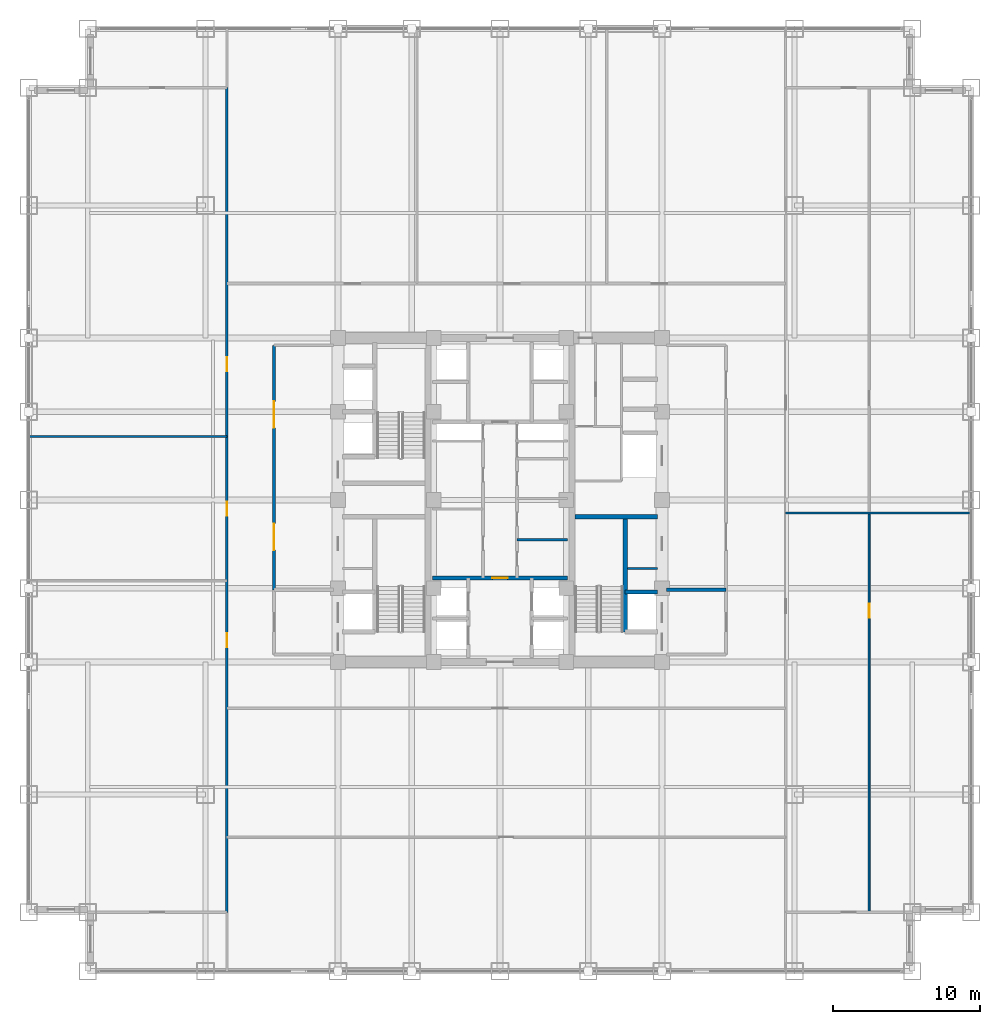
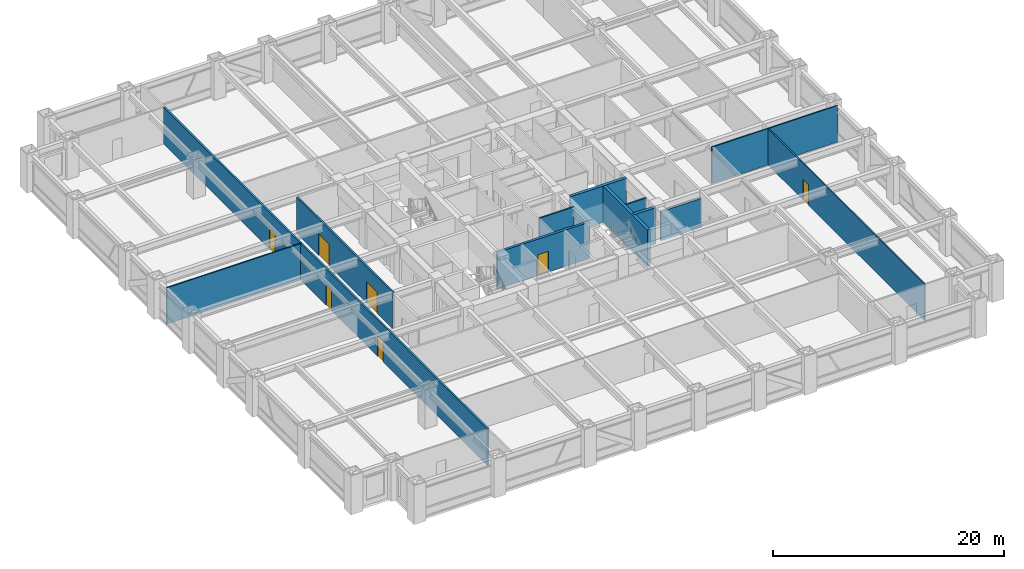
# One storey, part 24 of 28: 12 walls, 7 doors, 7 openings.
"""IFC4 building model written with IfcOpenShell, lengths in metres."""

from ifc_helpers import new_model, si_unit, direction, frame, frame_2d, origin, place, context, subcontext, project, spatial, rectangle, extrude, source, transform, mapped, material, layer, layer_set, type_object, element, fill, save


model = new_model("IFC4")

# Units and contexts
model_context = context("Model", 3, precision=1e-05, world=origin(), true_north=direction((0.0, 1.0)))
body_context = subcontext(model_context, "Body", "Model", "MODEL_VIEW")
ifc_project = project(units=[si_unit("LENGTHUNIT", "METRE"), si_unit("AREAUNIT", "SQUARE_METRE"), si_unit("VOLUMEUNIT", "CUBIC_METRE"), si_unit("PLANEANGLEUNIT", "RADIAN"), si_unit("MASSUNIT", "GRAM", prefix="KILO")], contexts=[model_context])

# Site, building, storey
site_placement = place(None, origin())
site = spatial("IfcSite", under=ifc_project, at=site_placement, CompositionType="ELEMENT")
building_placement = place(site_placement, origin())
building = spatial("IfcBuilding", under=site, at=building_placement, Name="Khorayat Bourse Tower", CompositionType="ELEMENT")
storey_placement = place(building_placement, frame((0.0, 0.0, 116.0)))
storey = spatial("IfcBuildingStorey", under=building, at=storey_placement, Name="L26", CompositionType="ELEMENT", Elevation=116.0)

# Walls
ifc_material_1 = material(Name="Concrete C50/60", Category="concrete")
ifc_layer_1 = layer(ifc_material_1, 0.300048828125)
ifc_layer_set_1 = layer_set([ifc_layer_1], Name="Concrete C50/60")
wall_type_1 = type_object("IfcWallType", Name="WAL-SHAFT-300", PredefinedType="SHEAR", material=ifc_layer_set_1)
shared_shape_1 = source(origin(), body_context, "Body", "SweptSolid", [
    extrude(rectangle(XDim=5.599853515625, YDim=0.300048828125, at=frame_2d((2.7998046875, 0.0))), origin(), (0.0, 0.0, 1.0), 3.840087890625),
])
wall_1_placement = place(storey_placement, frame((5.10009765625, -1.14990234375, 0.0), z_axis=(0.0, 0.0, 1.0), x_axis=(1.0, 0.0, 0.0)))
element("IfcWall", 1, at=wall_1_placement, inside=storey, type_object=wall_type_1, Name="L26 Core Shear Wall ST3-DIV", PredefinedType="SHEAR", context=body_context, shape_type="MappedRepresentation", body=[
    mapped(shared_shape_1, transform((0.0, 0.0, 0.0), scale=1.0)),
])
shared_shape_2 = source(origin(), body_context, "Body", "SweptSolid", [
    extrude(rectangle(XDim=7.800048828125, YDim=0.300048828125, at=frame_2d((3.89990234375, 0.0))), origin(), (0.0, 0.0, 1.0), 3.840087890625),
])
wall_2_placement = place(storey_placement, frame((8.5, -8.949951171875, 0.0), z_axis=(0.0, 0.0, 1.0), x_axis=(0.0, 1.0, 0.0)))
element("IfcWall", 2, at=wall_2_placement, inside=storey, type_object=wall_type_1, Name="L26 Partition WAL-L26-EPIER-SP", PredefinedType="SHEAR", context=body_context, shape_type="MappedRepresentation", body=[
    mapped(shared_shape_2, transform((0.0, 0.0, 0.0), scale=1.0)),
])
shared_shape_3 = source(origin(), body_context, "Body", "SweptSolid", [
    extrude(rectangle(XDim=2.199951171875, YDim=0.300048828125, at=frame_2d((1.10009765625, 0.0))), origin(), (0.0, 0.0, 1.0), 3.840087890625),
])
wall_3_placement = place(storey_placement, frame((8.5, -6.25, 0.0), z_axis=(0.0, 0.0, 1.0), x_axis=(1.0, 0.0, 0.0)))
element("IfcWall", 3, at=wall_3_placement, inside=storey, type_object=wall_type_1, Name="L26 Partition WAL-L26-EPIER-FF2N", PredefinedType="SHEAR", context=body_context, shape_type="MappedRepresentation", body=[
    mapped(shared_shape_3, transform((0.0, 0.0, 0.0), scale=1.0)),
])
ifc_material_2 = material(Name="Gypsum plasterboard twin-frame partition")
ifc_layer_2 = layer(ifc_material_2, 0.14990234375)
ifc_layer_set_2 = layer_set([ifc_layer_2], Name="Gypsum plasterboard twin-frame partition")
wall_type_2 = type_object("IfcWallType", Name="WAL-PART-SUITE-150", PredefinedType="PARTITIONING", material=ifc_layer_set_2)
shared_shape_4 = source(origin(), body_context, "Body", "SweptSolid", [
    extrude(rectangle(XDim=2.050048828125, YDim=0.14990234375, at=frame_2d((1.02490234375, 0.0))), origin(), (0.0, 0.0, 1.0), 3.840087890625),
])
wall_4_placement = place(storey_placement, frame((8.64990234375, -4.64990234375, 0.0), z_axis=(0.0, 0.0, 1.0), x_axis=(1.0, 0.0, 0.0)))
element("IfcWall", 4, at=wall_4_placement, inside=storey, type_object=wall_type_2, Name="L26 Partition WAL-L26-ESRV-S0", PredefinedType="PARTITIONING", context=body_context, shape_type="MappedRepresentation", body=[
    mapped(shared_shape_4, transform((0.0, 0.0, 0.0), scale=1.0)),
])

# Wall, openings, doors
ifc_material_3 = material(Name="Gypsum plasterboard acoustic stud wall")
ifc_layer_3 = layer(ifc_material_3, 0.179931640625)
ifc_layer_set_3 = layer_set([ifc_layer_3], Name="Gypsum plasterboard acoustic stud wall")
wall_type_3 = type_object("IfcWallType", Name="WAL-PART-CORR-180", PredefinedType="PARTITIONING", material=ifc_layer_set_3)
shared_shape_5 = source(origin(), body_context, "Body", "SweptSolid", [
    extrude(rectangle(XDim=16.60009765625, YDim=0.179931640625, at=frame_2d((8.300048828125, 0.0))), origin(), (0.0, 0.0, 1.0), 3.840087890625),
])
wall_5_placement = place(storey_placement, frame((-15.35009765625, -6.10009765625, 0.0), z_axis=(0.0, 0.0, 1.0), x_axis=(0.0, 1.0, 0.0)))
wall_5 = element("IfcWall", 5, at=wall_5_placement, inside=storey, type_object=wall_type_3, Name="L26 Partition WAL-L26-WLOB-W", PredefinedType="PARTITIONING", context=body_context, shape_type="MappedRepresentation", body=[
    mapped(shared_shape_5, transform((0.0, 0.0, 0.0), scale=1.0)),
])
shared_shape_6 = source(origin(), body_context, "Body", "SweptSolid", [
    extrude(rectangle(XDim=1.800048828125, YDim=2.25, at=frame_2d((0.89990234375, 1.125))), frame((0.0, 0.099853515625, 0.0), z_axis=(0.0, -1.0, 0.0), x_axis=(1.0, 0.0, 0.0)), (0.0, 0.0, 1.0), 0.199951171875),
])
opening_1_placement = place(wall_5_placement, frame((2.699951171875, 0.0, 0.0)))
opening_1 = element("IfcOpeningElement", 6, at=opening_1_placement, cuts=wall_5, Name="Opening DI-03", PredefinedType="OPENING", context=body_context, shape_type="MappedRepresentation", body=[
    mapped(shared_shape_6, transform((0.0, 0.0, 0.0), scale=1.0)),
])
opening_2_placement = place(wall_5_placement, frame((11.0, 0.0, 0.0)))
opening_2 = element("IfcOpeningElement", 7, at=opening_2_placement, cuts=wall_5, Name="Opening DI-03", PredefinedType="OPENING", context=body_context, shape_type="MappedRepresentation", body=[
    mapped(shared_shape_6, transform((0.0, 0.0, 0.0), scale=1.0)),
])
ifc_material_4 = material(Name="Fire-rated hardwood vision-panel double leaf", Category="wood")
door_type_1 = type_object("IfcDoorType", Name="DR-INT-CORR-1800", OperationType="NOTDEFINED", PredefinedType="DOOR", material=ifc_material_4)
shared_shape_7 = source(origin(), body_context, "Body", "SweptSolid", [
    extrude(rectangle(XDim=1.800048828125, YDim=2.25, at=frame_2d((0.89990234375, 1.125))), frame((0.0, 0.02490234375, 0.0), z_axis=(0.0, -1.0, 0.0), x_axis=(1.0, 0.0, 0.0)), (0.0, 0.0, 1.0), 0.050048828125),
])
door_1_placement = place(opening_1_placement, origin())
door_1 = element("IfcDoor", 8, at=door_1_placement, inside=storey, type_object=door_type_1, Name="L26 West Core Lobby South Door", OperationType="SINGLE_SWING_LEFT", OverallHeight=2.25, OverallWidth=1.800048828125, PredefinedType="DOOR", context=body_context, shape_type="MappedRepresentation", body=[
    mapped(shared_shape_7, transform((0.0, 0.0, 0.0), scale=1.0)),
])
fill(opening_1, door_1)
door_2_placement = place(opening_2_placement, origin())
door_2 = element("IfcDoor", 9, at=door_2_placement, inside=storey, type_object=door_type_1, Name="L26 West Core Lobby North Door", OperationType="SINGLE_SWING_RIGHT", OverallHeight=2.25, OverallWidth=1.800048828125, PredefinedType="DOOR", context=body_context, shape_type="MappedRepresentation", body=[
    mapped(shared_shape_7, transform((0.0, 0.0, 0.0), scale=1.0)),
])
fill(opening_2, door_2)

# Wall, opening, door
shared_shape_8 = source(origin(), body_context, "Body", "SweptSolid", [
    extrude(rectangle(XDim=9.2001953125, YDim=0.25, at=frame_2d((4.60009765625, 0.0))), origin(), (0.0, 0.0, 1.0), 3.840087890625),
])
wall_6_placement = place(storey_placement, frame((-4.60009765625, -5.300048828125, 0.0), z_axis=(0.0, 0.0, 1.0), x_axis=(1.0, 0.0, 0.0)))
wall_6 = element("IfcWall", 10, at=wall_6_placement, inside=storey, type_object=wall_type_1, Name="L26 Partition WAL-L26-B1-N", PredefinedType="SHEAR", context=body_context, shape_type="MappedRepresentation", body=[
    mapped(shared_shape_8, transform((0.0, 0.0, 0.0), scale=1.0)),
])
shared_shape_9 = source(origin(), body_context, "Body", "SweptSolid", [
    extrude(rectangle(XDim=1.050048828125, YDim=2.199951171875, at=frame_2d((0.52490234375, 1.10009765625))), frame((0.0, 0.135009765625, 0.0), z_axis=(0.0, -1.0, 0.0), x_axis=(1.0, 0.0, 0.0)), (0.0, 0.0, 1.0), 0.27001953125),
])
opening_3_placement = place(wall_6_placement, frame((4.074951171875, 0.0, 0.0)))
opening_3 = element("IfcOpeningElement", 11, at=opening_3_placement, cuts=wall_6, Name="Opening DI-04", PredefinedType="OPENING", context=body_context, shape_type="MappedRepresentation", body=[
    mapped(shared_shape_9, transform((0.0, 0.0, 0.0), scale=1.0)),
])
ifc_material_5 = material(Name="Fire-rated oak veneer suite entrance door")
door_type_2 = type_object("IfcDoorType", Name="DR-INT-SUITE-1050", OperationType="NOTDEFINED", PredefinedType="DOOR", material=ifc_material_5)
shared_shape_10 = source(origin(), body_context, "Body", "SweptSolid", [
    extrude(rectangle(XDim=1.050048828125, YDim=2.199951171875, at=frame_2d((0.52490234375, 1.10009765625))), frame((0.0, 0.02490234375, 0.0), z_axis=(0.0, -1.0, 0.0), x_axis=(1.0, 0.0, 0.0)), (0.0, 0.0, 1.0), 0.050048828125),
])
door_3_placement = place(opening_3_placement, origin())
door_3 = element("IfcDoor", 12, at=door_3_placement, inside=storey, type_object=door_type_2, Name="L26 Core Spine South Door", OperationType="SINGLE_SWING_LEFT", OverallHeight=2.199951171875, OverallWidth=1.050048828125, PredefinedType="DOOR", context=body_context, shape_type="MappedRepresentation", body=[
    mapped(shared_shape_10, transform((0.0, 0.0, 0.0), scale=1.0)),
])
fill(opening_3, door_3)

# Walls
ifc_material_6 = material(Name="Moisture-resistant masonry partition", Category="masonry")
ifc_layer_4 = layer(ifc_material_6, 0.139892578125)
ifc_layer_set_4 = layer_set([ifc_layer_4], Name="Moisture-resistant masonry partition")
wall_type_4 = type_object("IfcWallType", Name="WAL-PART-WET-140", PredefinedType="PARTITIONING", material=ifc_layer_set_4)
shared_shape_11 = source(origin(), body_context, "Body", "SweptSolid", [
    extrude(rectangle(XDim=3.4501953125, YDim=0.139892578125, at=frame_2d((1.72509765625, 0.0))), origin(), (0.0, 0.0, 1.0), 3.840087890625),
])
wall_7_placement = place(storey_placement, frame((1.14990234375, -2.699951171875, 0.0), z_axis=(0.0, 0.0, 1.0), x_axis=(1.0, 0.0, 0.0)))
element("IfcWall", 13, at=wall_7_placement, inside=storey, type_object=wall_type_4, Name="L26 Partition WAL-L26-CME-D1", PredefinedType="PARTITIONING", context=body_context, shape_type="MappedRepresentation", body=[
    mapped(shared_shape_11, transform((0.0, 0.0, 0.0), scale=1.0)),
])
ifc_material_7 = material(Name="Gypsum plasterboard partition")
ifc_layer_5 = layer(ifc_material_7, 0.125)
ifc_layer_set_5 = layer_set([ifc_layer_5], Name="Gypsum plasterboard partition")
wall_type_5 = type_object("IfcWallType", Name="WAL-PART-ROOM-125", PredefinedType="PARTITIONING", material=ifc_layer_set_5)
shared_shape_12 = source(origin(), body_context, "Body", "SweptSolid", [
    extrude(rectangle(XDim=12.60009765625, YDim=0.125, at=frame_2d((6.300048828125, 0.0))), origin(), (0.0, 0.0, 1.0), 3.840087890625),
])
wall_8_placement = place(storey_placement, frame((19.39990234375, -0.87890625, 0.0), z_axis=(0.0, 0.0, 1.0), x_axis=(1.0, 0.0, 0.0)))
element("IfcWall", 14, at=wall_8_placement, inside=storey, type_object=wall_type_5, Name="L26 Partition WAL-L26-EDV-1", PredefinedType="PARTITIONING", context=body_context, shape_type="MappedRepresentation", body=[
    mapped(shared_shape_12, transform((0.0, 0.0, 0.0), scale=1.0)),
])

# Wall, openings, doors
shared_shape_13 = source(origin(), body_context, "Body", "SweptSolid", [
    extrude(rectangle(XDim=56.0, YDim=0.179931640625, at=frame_2d((28.0, 0.0))), origin(), (0.0, 0.0, 1.0), 3.840087890625),
])
wall_9_placement = place(storey_placement, frame((-18.550048828125, -28.0, 0.0), z_axis=(0.0, 0.0, 1.0), x_axis=(0.0, 1.0, 0.0)))
wall_9 = element("IfcWall", 15, at=wall_9_placement, inside=storey, type_object=wall_type_3, Name="L26 Partition WAL-L26-WCORR", PredefinedType="PARTITIONING", context=body_context, shape_type="MappedRepresentation", body=[
    mapped(shared_shape_13, transform((0.0, 0.0, 0.0), scale=1.0)),
])
shared_shape_14 = source(origin(), body_context, "Body", "SweptSolid", [
    extrude(rectangle(XDim=0.949951171875, YDim=2.14990234375, at=frame_2d((0.47509765625, 1.074951171875))), frame((0.0, 0.099853515625, 0.0), z_axis=(0.0, -1.0, 0.0), x_axis=(1.0, 0.0, 0.0)), (0.0, 0.0, 1.0), 0.199951171875),
])
opening_4_placement = place(wall_9_placement, frame((18.00244140625, 0.0, 0.0)))
opening_4 = element("IfcOpeningElement", 16, at=opening_4_placement, cuts=wall_9, Name="Opening DI-05", PredefinedType="OPENING", context=body_context, shape_type="MappedRepresentation", body=[
    mapped(shared_shape_14, transform((0.0, 0.0, 0.0), scale=1.0)),
])
opening_5_placement = place(wall_9_placement, frame((26.9345703125, 0.0, 0.0)))
opening_5 = element("IfcOpeningElement", 17, at=opening_5_placement, cuts=wall_9, Name="Opening DI-05", PredefinedType="OPENING", context=body_context, shape_type="MappedRepresentation", body=[
    mapped(shared_shape_14, transform((0.0, 0.0, 0.0), scale=1.0)),
])
opening_6_placement = place(wall_9_placement, frame((36.73193359375, 0.0, 0.0)))
opening_6 = element("IfcOpeningElement", 18, at=opening_6_placement, cuts=wall_9, Name="Opening DI-05", PredefinedType="OPENING", context=body_context, shape_type="MappedRepresentation", body=[
    mapped(shared_shape_14, transform((0.0, 0.0, 0.0), scale=1.0)),
])
ifc_material_8 = material(Name="Acoustic oak veneer office door")
door_type_3 = type_object("IfcDoorType", Name="DR-INT-OFFICE-950", OperationType="NOTDEFINED", PredefinedType="DOOR", material=ifc_material_8)
shared_shape_15 = source(origin(), body_context, "Body", "SweptSolid", [
    extrude(rectangle(XDim=0.949951171875, YDim=2.14990234375, at=frame_2d((0.47509765625, 1.074951171875))), frame((0.0, 0.02490234375, 0.0), z_axis=(0.0, -1.0, 0.0), x_axis=(1.0, 0.0, 0.0)), (0.0, 0.0, 1.0), 0.050048828125),
])
door_4_placement = place(opening_4_placement, origin())
door_4 = element("IfcDoor", 19, at=door_4_placement, inside=storey, type_object=door_type_3, Name="L26 Clearing Records Archive Store W1 Door", OperationType="SINGLE_SWING_RIGHT", OverallHeight=2.14990234375, OverallWidth=0.949951171875, PredefinedType="DOOR", context=body_context, shape_type="MappedRepresentation", body=[
    mapped(shared_shape_15, transform((0.0, 0.0, 0.0), scale=1.0)),
])
fill(opening_4, door_4)
door_5_placement = place(opening_5_placement, origin())
door_5 = element("IfcDoor", 20, at=door_5_placement, inside=storey, type_object=door_type_3, Name="L26 Occupational First Aid Clinic W2 Door", OperationType="SINGLE_SWING_LEFT", OverallHeight=2.14990234375, OverallWidth=0.949951171875, PredefinedType="DOOR", context=body_context, shape_type="MappedRepresentation", body=[
    mapped(shared_shape_15, transform((0.0, 0.0, 0.0), scale=1.0)),
])
fill(opening_5, door_5)
door_6_placement = place(opening_6_placement, origin())
door_6 = element("IfcDoor", 21, at=door_6_placement, inside=storey, type_object=door_type_3, Name="L26 Staff Tea Pantry W3 Door", OperationType="SINGLE_SWING_RIGHT", OverallHeight=2.14990234375, OverallWidth=0.949951171875, PredefinedType="DOOR", context=body_context, shape_type="MappedRepresentation", body=[
    mapped(shared_shape_15, transform((0.0, 0.0, 0.0), scale=1.0)),
])
fill(opening_6, door_6)

# Walls
ifc_material_9 = material(Name="Aerated concrete blockwork", Category="masonry")
ifc_layer_6 = layer(ifc_material_9, 0.219970703125)
ifc_layer_set_6 = layer_set([ifc_layer_6], Name="Aerated concrete blockwork")
wall_type_6 = type_object("IfcWallType", Name="WAL-PART-FF-220", PredefinedType="PARTITIONING", material=ifc_layer_set_6)
shared_shape_16 = source(origin(), body_context, "Body", "SweptSolid", [
    extrude(rectangle(XDim=4.050048828125, YDim=0.219970703125, at=frame_2d((2.02490234375, 0.0))), origin(), (0.0, 0.0, 1.0), 3.06689453125),
])
wall_10_placement = place(storey_placement, frame((11.300048828125, -6.10009765625, 0.0), z_axis=(0.0, 0.0, 1.0), x_axis=(1.0, 0.0, 0.0)))
element("IfcWall", 22, at=wall_10_placement, inside=storey, type_object=wall_type_6, Name="L26 Partition WAL-L26-FFLE-N", PredefinedType="PARTITIONING", context=body_context, shape_type="MappedRepresentation", body=[
    mapped(shared_shape_16, transform((0.0, 0.0, 0.0), scale=1.0)),
])
shared_shape_17 = source(origin(), body_context, "Body", "SweptSolid", [
    extrude(rectangle(XDim=13.449951171875, YDim=0.125, at=frame_2d((6.72509765625, 0.0))), origin(), (0.0, 0.0, 1.0), 3.840087890625),
])
wall_11_placement = place(storey_placement, frame((-32.0, 4.31396484375, 0.0), z_axis=(0.0, 0.0, 1.0), x_axis=(1.0, 0.0, 0.0)))
element("IfcWall", 23, at=wall_11_placement, inside=storey, type_object=wall_type_5, Name="L26 Partition WAL-L26-WDV-2", PredefinedType="PARTITIONING", context=body_context, shape_type="MappedRepresentation", body=[
    mapped(shared_shape_17, transform((0.0, 0.0, 0.0), scale=1.0)),
])

# Wall, opening, door
shared_shape_18 = source(origin(), body_context, "Body", "SweptSolid", [
    extrude(rectangle(XDim=27.12109375, YDim=0.125, at=frame_2d((13.560546875, 0.0))), origin(), (0.0, 0.0, 1.0), 3.840087890625),
])
wall_12_placement = place(storey_placement, frame((25.070068359375, -28.0, 0.0), z_axis=(0.0, 0.0, 1.0), x_axis=(0.0, 1.0, 0.0)))
wall_12 = element("IfcWall", 24, at=wall_12_placement, inside=storey, type_object=wall_type_5, Name="L26 Partition WAL-L26-EDP-1", PredefinedType="PARTITIONING", context=body_context, shape_type="MappedRepresentation", body=[
    mapped(shared_shape_18, transform((0.0, 0.0, 0.0), scale=1.0)),
])
shared_shape_19 = source(origin(), body_context, "Body", "SweptSolid", [
    extrude(rectangle(XDim=0.949951171875, YDim=2.14990234375, at=frame_2d((0.47509765625, 1.074951171875))), frame((0.0, 0.072509765625, 0.0), z_axis=(0.0, -1.0, 0.0), x_axis=(1.0, 0.0, 0.0)), (0.0, 0.0, 1.0), 0.14501953125),
])
opening_7_placement = place(wall_12_placement, frame((20.010498046875, 0.0, 0.0)))
opening_7 = element("IfcOpeningElement", 25, at=opening_7_placement, cuts=wall_12, Name="Opening DI-05", PredefinedType="OPENING", context=body_context, shape_type="MappedRepresentation", body=[
    mapped(shared_shape_19, transform((0.0, 0.0, 0.0), scale=1.0)),
])
door_7_placement = place(opening_7_placement, origin())
door_7 = element("IfcDoor", 26, at=door_7_placement, inside=storey, type_object=door_type_3, Name="L26 Market Reference Library E1B Door", OperationType="SINGLE_SWING_RIGHT", OverallHeight=2.14990234375, OverallWidth=0.949951171875, PredefinedType="DOOR", context=body_context, shape_type="MappedRepresentation", body=[
    mapped(shared_shape_15, transform((0.0, 0.0, 0.0), scale=1.0)),
])
fill(opening_7, door_7)

save(model, "model.ifc")
